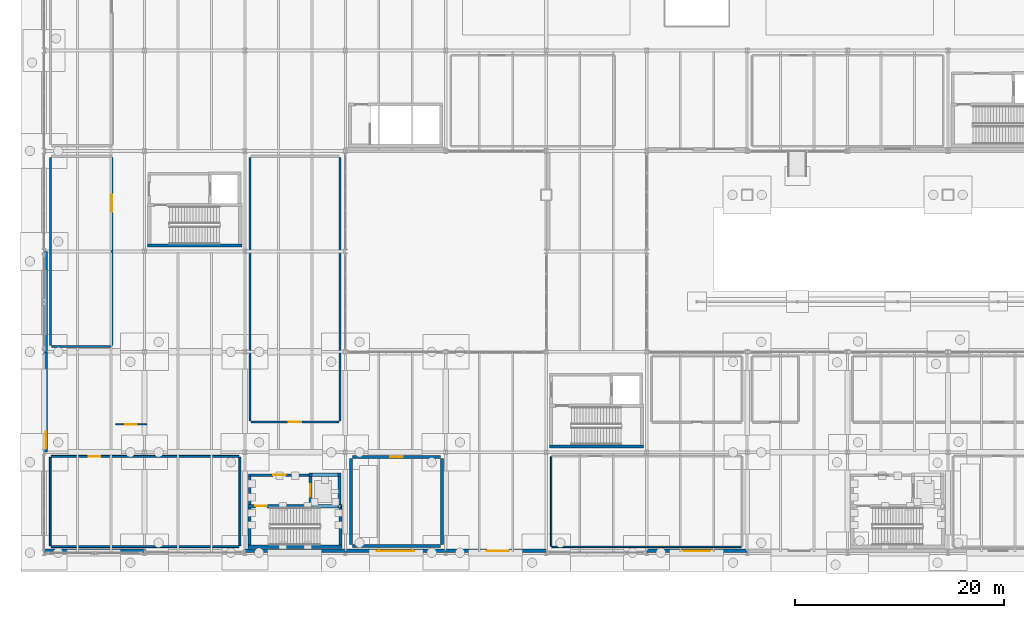
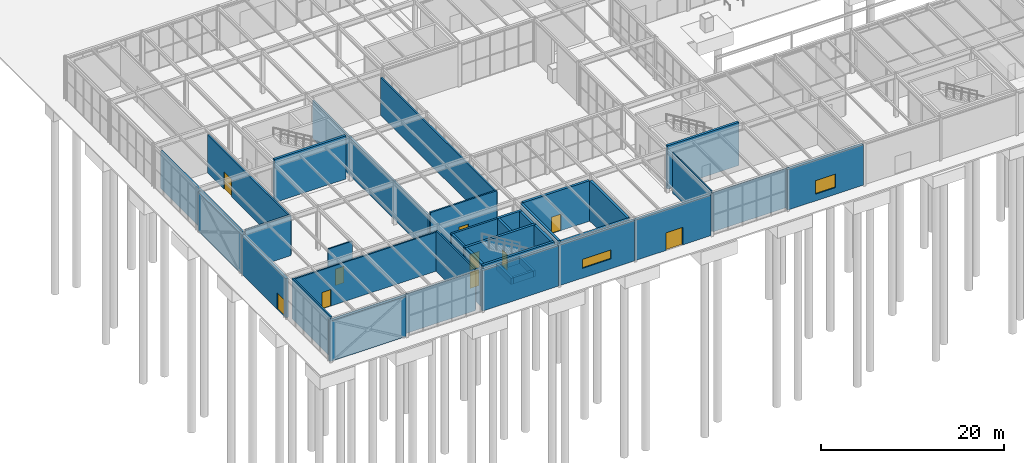
# One storey, part 116 of 142: 39 walls, 10 doors, 2 windows, 12 openings.
"""IFC4 building model written with IfcOpenShell, lengths in metres."""

from ifc_helpers import new_model, si_unit, direction, frame, frame_2d, origin, place, context, subcontext, project, spatial, rectangle, extrude, material, layer, layer_set, type_object, element, fill, save


model = new_model("IFC4")

# Units and contexts
model_context = context("Model", 3, precision=1e-05, world=origin(), true_north=direction((0.0, 1.0)))
body_context = subcontext(model_context, "Body", "Model", "MODEL_VIEW")
ifc_project = project(units=[si_unit("LENGTHUNIT", "METRE"), si_unit("AREAUNIT", "SQUARE_METRE"), si_unit("VOLUMEUNIT", "CUBIC_METRE"), si_unit("PLANEANGLEUNIT", "RADIAN"), si_unit("MASSUNIT", "GRAM", prefix="KILO")], contexts=[model_context])

# Site, building, storey
site_placement = place(None, origin())
site = spatial("IfcSite", under=ifc_project, at=site_placement, CompositionType="ELEMENT")
building_placement = place(site_placement, origin())
building = spatial("IfcBuilding", under=site, at=building_placement, Name="Coralgate Yard Interchange", CompositionType="ELEMENT")
storey_placement = place(building_placement, origin())
storey = spatial("IfcBuildingStorey", under=building, at=storey_placement, Name="L00", CompositionType="ELEMENT", Elevation=0.0)

# Walls
ifc_material_1 = material(Name="Concrete C40/50", Category="concrete")
ifc_layer_1 = layer(ifc_material_1, 0.300048828125)
ifc_layer_set_1 = layer_set([ifc_layer_1], Name="Concrete C40/50")
wall_type_1 = type_object("IfcWallType", Name="WAL-CW300", PredefinedType="SHEAR", material=ifc_layer_set_1)
for number, where, z_axis, x_axis, name in (
    (1, (9.89990234375, 29.3701171875, 0.0), (0.0, 0.0, 1.0), (1.0, 0.0, 0.0), "C1 L00 stair south shear wall"),
    (2, (48.300048828125, 10.169921875, 0.0), (0.0, 0.0, 1.0), (1.0, 0.0, 0.0), "C2 L00 stair south shear wall"),
    (3, (19.5, 0.570068359375, 0.0), (0.0, 0.0, 1.0), (1.0, 0.0, 0.0), "C3 L00 stair south shear wall"),
):
    element("IfcWall", number, at=place(storey_placement, frame(where, z_axis=z_axis, x_axis=x_axis)), inside=storey, type_object=wall_type_1, Name=name, PredefinedType="SHEAR", context=body_context, shape_type="SweptSolid", body=[
        extrude(rectangle(XDim=9.0, YDim=0.300048828125, at=frame_2d((4.5, 0.0))), origin(), (0.0, 0.0, 1.0), 5.75),
    ])

# Wall, opening, door
wall_1_placement = place(storey_placement, frame((28.5, 4.449951171875, 0.0), z_axis=(0.0, 0.0, 1.0), x_axis=(-1.0, 0.0, 0.0)))
wall_1 = element("IfcWall", 4, at=wall_1_placement, inside=storey, type_object=wall_type_1, Name="C3 L00 stair north shear wall", PredefinedType="SHEAR", context=body_context, shape_type="SweptSolid", body=[
    extrude(rectangle(XDim=9.0, YDim=0.300048828125, at=frame_2d((4.5, 0.0))), origin(), (0.0, 0.0, 1.0), 5.75),
])
opening_1_placement = place(wall_1_placement, frame((7.199951171875, 0.0, 0.0)))
opening_1 = element("IfcOpeningElement", 5, at=opening_1_placement, cuts=wall_1, Name="Opening FD-1", PredefinedType="OPENING", context=body_context, shape_type="SweptSolid", body=[
    extrude(rectangle(XDim=1.10009765625, YDim=2.14990234375, at=frame_2d((0.550048828125, 1.074951171875))), frame((0.0, 0.159912109375, 0.0), z_axis=(0.0, -1.0, 0.0), x_axis=(1.0, 0.0, 0.0)), (0.0, 0.0, 1.0), 0.320068359375),
])
ifc_material_2 = material(Name="Powder-coated steel fire door assembly", Category="steel")
door_type_1 = type_object("IfcDoorType", Name="DOR-FD-1", OperationType="NOTDEFINED", PredefinedType="DOOR", material=ifc_material_2)
door_1_placement = place(opening_1_placement, origin())
door_1 = element("IfcDoor", 6, at=door_1_placement, inside=storey, type_object=door_type_1, Name="C3 L00 stair fire door", OperationType="SINGLE_SWING_LEFT", OverallHeight=2.14990234375, OverallWidth=1.10009765625, PredefinedType="DOOR", context=body_context, shape_type="SweptSolid", body=[
    extrude(rectangle(XDim=1.10009765625, YDim=2.14990234375, at=frame_2d((0.550048828125, 1.074951171875))), frame((0.0, 0.02490234375, 0.0), z_axis=(0.0, -1.0, 0.0), x_axis=(1.0, 0.0, 0.0)), (0.0, 0.0, 1.0), 0.050048828125),
])
fill(opening_1, door_1)

# Walls
for number, where, z_axis, x_axis, name in (
    (7, (19.64990234375, 0.719970703125, 0.0), (0.0, 0.0, 1.0), (0.0, 1.0, 0.0), "C3 L00 stair west shear wall"),
    (8, (28.35009765625, 4.300048828125, 0.0), (0.0, 0.0, 1.0), (0.0, -1.0, 0.0), "C3 L00 stair east shear wall"),
):
    element("IfcWall", number, at=place(storey_placement, frame(where, z_axis=z_axis, x_axis=x_axis)), inside=storey, type_object=wall_type_1, Name=name, PredefinedType="SHEAR", context=body_context, shape_type="SweptSolid", body=[
        extrude(rectangle(XDim=3.580078125, YDim=0.300048828125, at=frame_2d((1.7900390625, 0.0))), origin(), (0.0, 0.0, 1.0), 5.75),
    ])

# Wall, opening, door
wall_2_placement = place(storey_placement, frame((25.449951171875, 7.300048828125, 0.0), z_axis=(0.0, 0.0, 1.0), x_axis=(0.0, -1.0, 0.0)))
wall_2 = element("IfcWall", 9, at=wall_2_placement, inside=storey, type_object=wall_type_1, Name="C3 L00 lift front shear wall", PredefinedType="SHEAR", context=body_context, shape_type="SweptSolid", body=[
    extrude(rectangle(XDim=2.699951171875, YDim=0.300048828125, at=frame_2d((1.35009765625, 0.0))), origin(), (0.0, 0.0, 1.0), 5.75),
])
opening_2_placement = place(wall_2_placement, frame((0.77490234375, 0.0, 0.0)))
opening_2 = element("IfcOpeningElement", 10, at=opening_2_placement, cuts=wall_2, Name="Opening LD-2", PredefinedType="OPENING", context=body_context, shape_type="SweptSolid", body=[
    extrude(rectangle(XDim=1.14990234375, YDim=2.10009765625, at=frame_2d((0.574951171875, 1.050048828125))), frame((0.0, 0.159912109375, 0.0), z_axis=(0.0, -1.0, 0.0), x_axis=(1.0, 0.0, 0.0)), (0.0, 0.0, 1.0), 0.320068359375),
])
ifc_material_3 = material(Name="Brushed stainless steel passenger lift landing door", Category="steel")
door_type_2 = type_object("IfcDoorType", Name="DOR-LD-2", OperationType="DOUBLE_DOOR_SLIDING", PredefinedType="DOOR", material=ifc_material_3)
door_2_placement = place(opening_2_placement, frame((1.14990234375, 0.0, 0.0), z_axis=(0.0, 0.0, 1.0), x_axis=(-1.0, 0.0, 0.0)))
door_2 = element("IfcDoor", 11, at=door_2_placement, inside=storey, type_object=door_type_2, Name="LF-01 L00 sliding lift landing door", OperationType="DOUBLE_DOOR_SLIDING", OverallHeight=2.10009765625, OverallWidth=1.14990234375, PredefinedType="DOOR", context=body_context, shape_type="SweptSolid", body=[
    extrude(rectangle(XDim=1.14990234375, YDim=2.10009765625, at=frame_2d((0.574951171875, 1.050048828125))), frame((0.0, 0.02490234375, 0.0), z_axis=(0.0, -1.0, 0.0), x_axis=(1.0, 0.0, 0.0)), (0.0, 0.0, 1.0), 0.050048828125),
])
fill(opening_2, door_2)

# Walls
wall_3_placement = place(storey_placement, frame((28.25, 4.60009765625, 0.0), z_axis=(0.0, 0.0, 1.0), x_axis=(0.0, 1.0, 0.0)))
element("IfcWall", 12, at=wall_3_placement, inside=storey, type_object=wall_type_1, Name="C3 L00 lift rear shear wall", PredefinedType="SHEAR", context=body_context, shape_type="SweptSolid", body=[
    extrude(rectangle(XDim=2.699951171875, YDim=0.300048828125, at=frame_2d((1.35009765625, 0.0))), origin(), (0.0, 0.0, 1.0), 5.75),
])
wall_4_placement = place(storey_placement, frame((25.300048828125, 7.449951171875, 0.0), z_axis=(0.0, 0.0, 1.0), x_axis=(1.0, 0.0, 0.0)))
element("IfcWall", 13, at=wall_4_placement, inside=storey, type_object=wall_type_1, Name="C3 L00 lift north shear wall", PredefinedType="SHEAR", context=body_context, shape_type="SweptSolid", body=[
    extrude(rectangle(XDim=3.099853515625, YDim=0.300048828125, at=frame_2d((1.5498046875, 0.0))), origin(), (0.0, 0.0, 1.0), 5.75),
])
for number, where, z_axis, x_axis, name in (
    (14, (25.449951171875, 4.300048828125, -1.199951171875), (0.0, 0.0, 1.0), (0.0, 1.0, 0.0), "LF-01 lift pit wall W"),
    (15, (28.25, 4.300048828125, -1.199951171875), (0.0, 0.0, 1.0), (0.0, 1.0, 0.0), "LF-01 lift pit wall E"),
):
    element("IfcWall", number, at=place(storey_placement, frame(where, z_axis=z_axis, x_axis=x_axis)), inside=storey, type_object=wall_type_1, Name=name, PredefinedType="SHEAR", context=body_context, shape_type="SweptSolid", body=[
        extrude(rectangle(XDim=3.300048828125, YDim=0.300048828125, at=frame_2d((1.64990234375, 0.0))), origin(), (0.0, 0.0, 1.0), 0.820068359375),
    ])
for number, where, z_axis, x_axis, name in (
    (16, (25.60009765625, 4.449951171875, -1.199951171875), (0.0, 0.0, 1.0), (1.0, 0.0, 0.0), "LF-01 lift pit wall S"),
    (17, (25.60009765625, 7.449951171875, -1.199951171875), (0.0, 0.0, 1.0), (1.0, 0.0, 0.0), "LF-01 lift pit wall N"),
):
    element("IfcWall", number, at=place(storey_placement, frame(where, z_axis=z_axis, x_axis=x_axis)), inside=storey, type_object=wall_type_1, Name=name, PredefinedType="SHEAR", context=body_context, shape_type="SweptSolid", body=[
        extrude(rectangle(XDim=2.5, YDim=0.300048828125, at=frame_2d((1.25, 0.0))), origin(), (0.0, 0.0, 1.0), 0.820068359375),
    ])
wall_5_placement = place(storey_placement, frame((37.89990234375, 0.64990234375, 0.0), z_axis=(0.0, 0.0, 1.0), x_axis=(-1.0, 0.0, 0.0)))
element("IfcWall", 18, at=wall_5_placement, inside=storey, type_object=wall_type_1, Name="Fire Command Room partition S", PredefinedType="SHEAR", context=body_context, shape_type="SweptSolid", body=[
    extrude(rectangle(XDim=8.39990234375, YDim=0.300048828125, at=frame_2d((4.199951171875, 0.0))), origin(), (0.0, 0.0, 1.0), 5.389892578125),
])

# Wall, opening, door
wall_6_placement = place(storey_placement, frame((29.5, 9.14990234375, 0.0), z_axis=(0.0, 0.0, 1.0), x_axis=(1.0, 0.0, 0.0)))
wall_6 = element("IfcWall", 19, at=wall_6_placement, inside=storey, type_object=wall_type_1, Name="Fire Command Room partition N", PredefinedType="SHEAR", context=body_context, shape_type="SweptSolid", body=[
    extrude(rectangle(XDim=8.39990234375, YDim=0.300048828125, at=frame_2d((4.199951171875, 0.0))), origin(), (0.0, 0.0, 1.0), 5.389892578125),
])
opening_3_placement = place(wall_6_placement, frame((3.60009765625, 0.0, 0.0)))
opening_3 = element("IfcOpeningElement", 20, at=opening_3_placement, cuts=wall_6, Name="Opening ID-05", PredefinedType="OPENING", context=body_context, shape_type="SweptSolid", body=[
    extrude(rectangle(XDim=1.199951171875, YDim=2.199951171875, at=frame_2d((0.60009765625, 1.10009765625))), frame((0.0, 0.159912109375, 0.0), z_axis=(0.0, -1.0, 0.0), x_axis=(1.0, 0.0, 0.0)), (0.0, 0.0, 1.0), 0.320068359375),
])
ifc_material_4 = material(Name="Powder-coated steel plant and store fire door", Category="steel")
door_type_3 = type_object("IfcDoorType", Name="DOR-ID-05", OperationType="NOTDEFINED", PredefinedType="DOOR", material=ifc_material_4)
door_3_placement = place(opening_3_placement, frame((1.199951171875, 0.0, 0.0), z_axis=(0.0, 0.0, 1.0), x_axis=(-1.0, 0.0, 0.0)))
door_3 = element("IfcDoor", 21, at=door_3_placement, inside=storey, type_object=door_type_3, Name="Fire Command Room door", OperationType="SINGLE_SWING_RIGHT", OverallHeight=2.199951171875, OverallWidth=1.199951171875, PredefinedType="DOOR", context=body_context, shape_type="SweptSolid", body=[
    extrude(rectangle(XDim=1.199951171875, YDim=2.199951171875, at=frame_2d((0.60009765625, 1.10009765625))), frame((0.0, 0.02490234375, 0.0), z_axis=(0.0, -1.0, 0.0), x_axis=(1.0, 0.0, 0.0)), (0.0, 0.0, 1.0), 0.050048828125),
])
fill(opening_3, door_3)

# Walls
for number, where, z_axis, x_axis, name in (
    (22, (29.35009765625, 0.800048828125, 0.0), (0.0, 0.0, 1.0), (0.0, 1.0, 0.0), "Fire Command Room partition W"),
    (23, (38.050048828125, 9.0, 0.0), (0.0, 0.0, 1.0), (0.0, -1.0, 0.0), "Fire Command Room partition E"),
):
    element("IfcWall", number, at=place(storey_placement, frame(where, z_axis=z_axis, x_axis=x_axis)), inside=storey, type_object=wall_type_1, Name=name, PredefinedType="SHEAR", context=body_context, shape_type="SweptSolid", body=[
        extrude(rectangle(XDim=8.199951171875, YDim=0.300048828125, at=frame_2d((4.10009765625, 0.0))), origin(), (0.0, 0.0, 1.0), 5.389892578125),
    ])
ifc_material_5 = material(Name="Precast concrete C40/50", Category="concrete")
ifc_layer_2 = layer(ifc_material_5, 0.35009765625)
ifc_layer_set_2 = layer_set([ifc_layer_2], Name="Precast concrete C40/50")
wall_type_2 = type_object("IfcWallType", Name="WAL-EW-350", PredefinedType="SOLIDWALL", material=ifc_layer_set_2)
wall_7_placement = place(storey_placement, frame((9.580078125, 0.175048828125, 0.0), z_axis=(0.0, 0.0, 1.0), x_axis=(-1.0, 0.0, 0.0)))
element("IfcWall", 24, at=wall_7_placement, inside=storey, type_object=wall_type_2, Name="L00 exterior coastal wall S 0-0", PredefinedType="SOLIDWALL", context=body_context, shape_type="SweptSolid", body=[
    extrude(rectangle(XDim=9.56005859375, YDim=0.35009765625, at=frame_2d((4.780029296875, 0.0))), origin(), (0.0, 0.0, 1.0), 5.39990234375),
])

# Wall, opening, door
wall_8_placement = place(storey_placement, frame((0.175048828125, 9.6201171875, 0.0), z_axis=(0.0, 0.0, 1.0), x_axis=(0.0, 1.0, 0.0)))
wall_8 = element("IfcWall", 25, at=wall_8_placement, inside=storey, type_object=wall_type_2, Name="L00 exterior coastal wall W 0-1", PredefinedType="SOLIDWALL", context=body_context, shape_type="SweptSolid", body=[
    extrude(rectangle(XDim=9.559814453125, YDim=0.35009765625, at=frame_2d((4.77978515625, 0.0))), origin(), (0.0, 0.0, 1.0), 5.216796875),
])
opening_4_placement = place(wall_8_placement, frame((0.35009765625, 0.0, 0.0)))
opening_4 = element("IfcOpeningElement", 26, at=opening_4_placement, cuts=wall_8, Name="Opening ED-4", PredefinedType="OPENING", context=body_context, shape_type="SweptSolid", body=[
    extrude(rectangle(XDim=1.60009765625, YDim=2.199951171875, at=frame_2d((0.800048828125, 1.10009765625))), frame((0.0, 0.18505859375, 0.0), z_axis=(0.0, -1.0, 0.0), x_axis=(1.0, 0.0, 0.0)), (0.0, 0.0, 1.0), 0.3701171875),
])
ifc_material_6 = material(Name="Powder-coated steel emergency exit double door", Category="steel")
door_type_4 = type_object("IfcDoorType", Name="DOR-ED-4", OperationType="NOTDEFINED", PredefinedType="DOOR", material=ifc_material_6)
door_4_placement = place(opening_4_placement, origin())
door_4 = element("IfcDoor", 27, at=door_4_placement, inside=storey, type_object=door_type_4, Name="L00 final exit double door ED-01", OperationType="DOUBLE_DOOR_SINGLE_SWING", OverallHeight=2.199951171875, OverallWidth=1.60009765625, PredefinedType="DOOR", context=body_context, shape_type="SweptSolid", body=[
    extrude(rectangle(XDim=1.60009765625, YDim=2.199951171875, at=frame_2d((0.800048828125, 1.10009765625))), frame((0.0, 0.02490234375, 0.0), z_axis=(0.0, -1.0, 0.0), x_axis=(1.0, 0.0, 0.0)), (0.0, 0.0, 1.0), 0.050048828125),
])
fill(opening_4, door_4)

# Walls
wall_9_placement = place(storey_placement, frame((0.175048828125, 19.219970703125, 0.0), z_axis=(0.0, 0.0, 1.0), x_axis=(0.0, 1.0, 0.0)))
element("IfcWall", 28, at=wall_9_placement, inside=storey, type_object=wall_type_2, Name="L00 exterior coastal wall W 0-2", PredefinedType="SOLIDWALL", context=body_context, shape_type="SweptSolid", body=[
    extrude(rectangle(XDim=9.56005859375, YDim=0.35009765625, at=frame_2d((4.780029296875, 0.0))), origin(), (0.0, 0.0, 1.0), 5.216796875),
])
wall_10_placement = place(storey_placement, frame((28.780029296875, 0.175048828125, 0.0), z_axis=(0.0, 0.0, 1.0), x_axis=(-1.0, 0.0, 0.0)))
element("IfcWall", 29, at=wall_10_placement, inside=storey, type_object=wall_type_2, Name="L00 exterior coastal wall S 2-0", PredefinedType="SOLIDWALL", context=body_context, shape_type="SweptSolid", body=[
    extrude(rectangle(XDim=9.56005859375, YDim=0.35009765625, at=frame_2d((4.780029296875, 0.0))), origin(), (0.0, 0.0, 1.0), 5.39990234375),
])

# Wall, opening, window
wall_11_placement = place(storey_placement, frame((38.3798828125, 0.175048828125, 0.0), z_axis=(0.0, 0.0, 1.0), x_axis=(-1.0, 0.0, 0.0)))
wall_11 = element("IfcWall", 30, at=wall_11_placement, inside=storey, type_object=wall_type_2, Name="L00 exterior coastal wall S 3-0", PredefinedType="SOLIDWALL", context=body_context, shape_type="SweptSolid", body=[
    extrude(rectangle(XDim=9.559814453125, YDim=0.35009765625, at=frame_2d((4.77978515625, 0.0))), origin(), (0.0, 0.0, 1.0), 5.39990234375),
])
opening_5_placement = place(wall_11_placement, frame((2.97998046875, 0.0, 1.300048828125)))
opening_5 = element("IfcOpeningElement", 31, at=opening_5_placement, cuts=wall_11, Name="Opening W-10", PredefinedType="OPENING", context=body_context, shape_type="SweptSolid", body=[
    extrude(rectangle(XDim=3.60009765625, YDim=1.199951171875, at=frame_2d((1.800048828125, 0.60009765625))), frame((0.0, 0.18505859375, 0.0), z_axis=(0.0, -1.0, 0.0), x_axis=(1.0, 0.0, 0.0)), (0.0, 0.0, 1.0), 0.3701171875),
])
ifc_material_7 = material(Name="Thermally broken anodised aluminium and solar-control low-E glass", Category="aluminium")
window_type_1 = type_object("IfcWindowType", Name="WIN-W-10", PartitioningType="SINGLE_PANEL", PredefinedType="WINDOW", material=ifc_material_7)
window_1_placement = place(opening_5_placement, origin())
window_1 = element("IfcWindow", 32, at=window_1_placement, inside=storey, type_object=window_type_1, Name="L00 coastal facade window S-3-0", OverallHeight=1.199951171875, OverallWidth=3.60009765625, PartitioningType="SINGLE_PANEL", PredefinedType="WINDOW", context=body_context, shape_type="SweptSolid", body=[
    extrude(rectangle(XDim=3.60009765625, YDim=1.199951171875, at=frame_2d((1.800048828125, 0.60009765625))), frame((0.0, 0.030029296875, 0.0), z_axis=(0.0, -1.0, 0.0), x_axis=(1.0, 0.0, 0.0)), (0.0, 0.0, 1.0), 0.06005859375),
])
fill(opening_5, window_1)

# Wall, opening, door
wall_12_placement = place(storey_placement, frame((47.97998046875, 0.175048828125, 0.0), z_axis=(0.0, 0.0, 1.0), x_axis=(-1.0, 0.0, 0.0)))
wall_12 = element("IfcWall", 33, at=wall_12_placement, inside=storey, type_object=wall_type_2, Name="L00 exterior coastal wall S 4-0", PredefinedType="SOLIDWALL", context=body_context, shape_type="SweptSolid", body=[
    extrude(rectangle(XDim=9.56005859375, YDim=0.35009765625, at=frame_2d((4.780029296875, 0.0))), origin(), (0.0, 0.0, 1.0), 5.39990234375),
])
opening_6_placement = place(wall_12_placement, frame((3.550048828125, 0.0, 0.0)))
opening_6 = element("IfcOpeningElement", 34, at=opening_6_placement, cuts=wall_12, Name="Opening ED-8", PredefinedType="OPENING", context=body_context, shape_type="SweptSolid", body=[
    extrude(rectangle(XDim=2.10009765625, YDim=2.35009765625, at=frame_2d((1.050048828125, 1.175048828125))), frame((0.0, 0.18505859375, 0.0), z_axis=(0.0, -1.0, 0.0), x_axis=(1.0, 0.0, 0.0)), (0.0, 0.0, 1.0), 0.3701171875),
])
ifc_material_8 = material(Name="Anodised aluminium intermodal foyer double door", Category="aluminium")
door_type_5 = type_object("IfcDoorType", Name="DOR-ED-8", OperationType="NOTDEFINED", PredefinedType="DOOR", material=ifc_material_8)
door_5_placement = place(opening_6_placement, origin())
door_5 = element("IfcDoor", 35, at=door_5_placement, inside=storey, type_object=door_type_5, Name="L00 final exit double door ED-02", OperationType="DOUBLE_DOOR_SINGLE_SWING", OverallHeight=2.35009765625, OverallWidth=2.10009765625, PredefinedType="DOOR", context=body_context, shape_type="SweptSolid", body=[
    extrude(rectangle(XDim=2.10009765625, YDim=2.35009765625, at=frame_2d((1.050048828125, 1.175048828125))), frame((0.0, 0.02490234375, 0.0), z_axis=(0.0, -1.0, 0.0), x_axis=(1.0, 0.0, 0.0)), (0.0, 0.0, 1.0), 0.050048828125),
])
fill(opening_6, door_5)

# Wall, opening, window
wall_13_placement = place(storey_placement, frame((67.179931640625, 0.175048828125, 0.0), z_axis=(0.0, 0.0, 1.0), x_axis=(-1.0, 0.0, 0.0)))
wall_13 = element("IfcWall", 36, at=wall_13_placement, inside=storey, type_object=wall_type_2, Name="L00 exterior coastal wall S 6-0", PredefinedType="SOLIDWALL", context=body_context, shape_type="SweptSolid", body=[
    extrude(rectangle(XDim=9.559814453125, YDim=0.35009765625, at=frame_2d((4.77978515625, 0.0))), origin(), (0.0, 0.0, 1.0), 5.39990234375),
])
opening_7_placement = place(wall_13_placement, frame((3.5048828125, 0.0, 0.89990234375)))
opening_7 = element("IfcOpeningElement", 37, at=opening_7_placement, cuts=wall_13, Name="Opening W-19", PredefinedType="OPENING", context=body_context, shape_type="SweptSolid", body=[
    extrude(rectangle(XDim=2.550048828125, YDim=1.800048828125, at=frame_2d((1.27490234375, 0.89990234375))), frame((0.0, 0.18505859375, 0.0), z_axis=(0.0, -1.0, 0.0), x_axis=(1.0, 0.0, 0.0)), (0.0, 0.0, 1.0), 0.3701171875),
])
window_type_2 = type_object("IfcWindowType", Name="WIN-W-19", PartitioningType="SINGLE_PANEL", PredefinedType="WINDOW", material=ifc_material_7)
window_2_placement = place(opening_7_placement, origin())
window_2 = element("IfcWindow", 38, at=window_2_placement, inside=storey, type_object=window_type_2, Name="L00 coastal facade window S-6-0", OverallHeight=1.800048828125, OverallWidth=2.550048828125, PartitioningType="SINGLE_PANEL", PredefinedType="WINDOW", context=body_context, shape_type="SweptSolid", body=[
    extrude(rectangle(XDim=2.550048828125, YDim=1.800048828125, at=frame_2d((1.27490234375, 0.89990234375))), frame((0.0, 0.030029296875, 0.0), z_axis=(0.0, -1.0, 0.0), x_axis=(1.0, 0.0, 0.0)), (0.0, 0.0, 1.0), 0.06005859375),
])
fill(opening_7, window_2)

# Walls
ifc_material_9 = material(Name="Acoustic twin-stud office partition")
ifc_layer_3 = layer(ifc_material_9, 0.139892578125)
ifc_layer_set_3 = layer_set([ifc_layer_3], Name="Acoustic twin-stud office partition")
wall_type_3 = type_object("IfcWallType", Name="WAL-PW-140", PredefinedType="PARTITIONING", material=ifc_layer_set_3)
wall_14_placement = place(storey_placement, frame((66.659912109375, 0.570068359375, 0.0), z_axis=(0.0, 0.0, 1.0), x_axis=(-1.0, 0.0, 0.0)))
element("IfcWall", 39, at=wall_14_placement, inside=storey, type_object=wall_type_3, Name="Surface Bus Network Dispatch Room partition S", PredefinedType="PARTITIONING", context=body_context, shape_type="SweptSolid", body=[
    extrude(rectangle(XDim=18.119873046875, YDim=0.139892578125, at=frame_2d((9.06005859375, 0.0))), origin(), (0.0, 0.0, 1.0), 5.206787109375),
])
wall_15_placement = place(storey_placement, frame((48.469970703125, 0.639892578125, 0.0), z_axis=(0.0, 0.0, 1.0), x_axis=(0.0, 1.0, 0.0)))
element("IfcWall", 40, at=wall_15_placement, inside=storey, type_object=wall_type_3, Name="Surface Bus Network Dispatch Room partition W", PredefinedType="PARTITIONING", context=body_context, shape_type="SweptSolid", body=[
    extrude(rectangle(XDim=8.52001953125, YDim=0.139892578125, at=frame_2d((4.260009765625, 0.0))), origin(), (0.0, 0.0, 1.0), 5.389892578125),
])

# Wall, opening, door
ifc_material_10 = material(Name="Fire-rated twin-stud gypsum partition")
ifc_layer_4 = layer(ifc_material_10, 0.159912109375)
ifc_layer_set_4 = layer_set([ifc_layer_4], Name="Fire-rated twin-stud gypsum partition")
wall_type_4 = type_object("IfcWallType", Name="WAL-PW-160", PredefinedType="PARTITIONING", material=ifc_layer_set_4)
wall_16_placement = place(storey_placement, frame((6.820068359375, 12.280029296875, 0.0), z_axis=(0.0, 0.0, 1.0), x_axis=(1.0, 0.0, 0.0)))
wall_16 = element("IfcWall", 41, at=wall_16_placement, inside=storey, type_object=wall_type_4, Name="L00 west protected exit passageway cross-corridor fire wall", PredefinedType="PARTITIONING", context=body_context, shape_type="SweptSolid", body=[
    extrude(rectangle(XDim=3.0400390625, YDim=0.159912109375, at=frame_2d((1.52001953125, 0.0))), origin(), (0.0, 0.0, 1.0), 5.206787109375),
])
opening_8_placement = place(wall_16_placement, frame((0.949951171875, 0.0, 0.0)))
opening_8 = element("IfcOpeningElement", 42, at=opening_8_placement, cuts=wall_16, Name="Opening ID-04", PredefinedType="OPENING", context=body_context, shape_type="SweptSolid", body=[
    extrude(rectangle(XDim=1.10009765625, YDim=2.199951171875, at=frame_2d((0.550048828125, 1.10009765625))), frame((0.0, 0.08984375, 0.0), z_axis=(0.0, -1.0, 0.0), x_axis=(1.0, 0.0, 0.0)), (0.0, 0.0, 1.0), 0.179931640625),
])
ifc_material_11 = material(Name="Fire-resisting acoustic timber corridor door", Category="wood")
door_type_6 = type_object("IfcDoorType", Name="DOR-ID-04", OperationType="NOTDEFINED", PredefinedType="DOOR", material=ifc_material_11)
door_6_placement = place(opening_8_placement, frame((1.10009765625, 0.0, 0.0), z_axis=(0.0, 0.0, 1.0), x_axis=(-1.0, 0.0, 0.0)))
door_6 = element("IfcDoor", 43, at=door_6_placement, inside=storey, type_object=door_type_6, Name="L00 west protected exit passageway fire door", OperationType="SINGLE_SWING_RIGHT", OverallHeight=2.199951171875, OverallWidth=1.10009765625, PredefinedType="DOOR", context=body_context, shape_type="SweptSolid", body=[
    extrude(rectangle(XDim=1.10009765625, YDim=2.199951171875, at=frame_2d((0.550048828125, 1.10009765625))), frame((0.0, 0.02490234375, 0.0), z_axis=(0.0, -1.0, 0.0), x_axis=(1.0, 0.0, 0.0)), (0.0, 0.0, 1.0), 0.050048828125),
])
fill(opening_8, door_6)

# Wall
ifc_material_12 = material(Name="Acoustic concrete blockwork", Category="masonry")
ifc_layer_5 = layer(ifc_material_12, 0.179931640625)
ifc_layer_set_5 = layer_set([ifc_layer_5], Name="Acoustic concrete blockwork")
wall_type_5 = type_object("IfcWallType", Name="WAL-PW-180", PredefinedType="PARTITIONING", material=ifc_layer_set_5)
wall_17_placement = place(storey_placement, frame((18.6201171875, 0.590087890625, 0.0), z_axis=(0.0, 0.0, 1.0), x_axis=(-1.0, 0.0, 0.0)))
element("IfcWall", 44, at=wall_17_placement, inside=storey, type_object=wall_type_5, Name="Station Security and CCTV Suite partition S", PredefinedType="PARTITIONING", context=body_context, shape_type="SweptSolid", body=[
    extrude(rectangle(XDim=17.940185546875, YDim=0.179931640625, at=frame_2d((8.97021484375, 0.0))), origin(), (0.0, 0.0, 1.0), 5.206787109375),
])

# Wall, opening, door
wall_18_placement = place(storey_placement, frame((0.679931640625, 9.2099609375, 0.0), z_axis=(0.0, 0.0, 1.0), x_axis=(1.0, 0.0, 0.0)))
wall_18 = element("IfcWall", 45, at=wall_18_placement, inside=storey, type_object=wall_type_5, Name="Station Security and CCTV Suite partition N", PredefinedType="PARTITIONING", context=body_context, shape_type="SweptSolid", body=[
    extrude(rectangle(XDim=17.940185546875, YDim=0.179931640625, at=frame_2d((8.97021484375, 0.0))), origin(), (0.0, 0.0, 1.0), 5.206787109375),
])
opening_9_placement = place(wall_18_placement, frame((3.60009765625, 0.0, 0.0)))
opening_9 = element("IfcOpeningElement", 46, at=opening_9_placement, cuts=wall_18, Name="Opening ID-04", PredefinedType="OPENING", context=body_context, shape_type="SweptSolid", body=[
    extrude(rectangle(XDim=1.10009765625, YDim=2.199951171875, at=frame_2d((0.550048828125, 1.10009765625))), frame((0.0, 0.099853515625, 0.0), z_axis=(0.0, -1.0, 0.0), x_axis=(1.0, 0.0, 0.0)), (0.0, 0.0, 1.0), 0.199951171875),
])
door_7_placement = place(opening_9_placement, origin())
door_7 = element("IfcDoor", 47, at=door_7_placement, inside=storey, type_object=door_type_6, Name="Station Security and CCTV Suite door", OperationType="SINGLE_SWING_LEFT", OverallHeight=2.199951171875, OverallWidth=1.10009765625, PredefinedType="DOOR", context=body_context, shape_type="SweptSolid", body=[
    extrude(rectangle(XDim=1.10009765625, YDim=2.199951171875, at=frame_2d((0.550048828125, 1.10009765625))), frame((0.0, 0.02490234375, 0.0), z_axis=(0.0, -1.0, 0.0), x_axis=(1.0, 0.0, 0.0)), (0.0, 0.0, 1.0), 0.050048828125),
])
fill(opening_9, door_7)

# Walls
for number, where, z_axis, x_axis, name in (
    (48, (0.590087890625, 0.679931640625, 0.0), (0.0, 0.0, 1.0), (0.0, 1.0, 0.0), "Station Security and CCTV Suite partition W"),
    (49, (18.7099609375, 9.1201171875, 0.0), (0.0, 0.0, 1.0), (0.0, -1.0, 0.0), "Station Security and CCTV Suite partition E"),
):
    element("IfcWall", number, at=place(storey_placement, frame(where, z_axis=z_axis, x_axis=x_axis)), inside=storey, type_object=wall_type_5, Name=name, PredefinedType="PARTITIONING", context=body_context, shape_type="SweptSolid", body=[
        extrude(rectangle(XDim=8.440185546875, YDim=0.179931640625, at=frame_2d((4.22021484375, 0.0))), origin(), (0.0, 0.0, 1.0), 5.389892578125),
    ])
ifc_material_13 = material(Name="Concrete blockwork masonry", Category="masonry")
ifc_layer_6 = layer(ifc_material_13, 0.199951171875)
ifc_layer_set_6 = layer_set([ifc_layer_6], Name="Concrete blockwork masonry")
wall_type_6 = type_object("IfcWallType", Name="WAL-PW-200", PredefinedType="PARTITIONING", material=ifc_layer_set_6)
wall_19_placement = place(storey_placement, frame((6.39990234375, 19.699951171875, 0.0), z_axis=(0.0, 0.0, 1.0), x_axis=(-1.0, 0.0, 0.0)))
element("IfcWall", 50, at=wall_19_placement, inside=storey, type_object=wall_type_6, Name="Main Low-Voltage Switchgear Plant partition S", PredefinedType="PARTITIONING", context=body_context, shape_type="SweptSolid", body=[
    extrude(rectangle(XDim=5.699951171875, YDim=0.199951171875, at=frame_2d((2.85009765625, 0.0))), origin(), (0.0, 0.0, 1.0), 5.389892578125),
])
wall_20_placement = place(storey_placement, frame((0.60009765625, 19.800048828125, 0.0), z_axis=(0.0, 0.0, 1.0), x_axis=(0.0, 1.0, 0.0)))
element("IfcWall", 51, at=wall_20_placement, inside=storey, type_object=wall_type_6, Name="Main Low-Voltage Switchgear Plant partition W", PredefinedType="PARTITIONING", context=body_context, shape_type="SweptSolid", body=[
    extrude(rectangle(XDim=18.0, YDim=0.199951171875, at=frame_2d((9.0, 0.0))), origin(), (0.0, 0.0, 1.0), 5.056396484375),
])

# Wall, opening, door
wall_21_placement = place(storey_placement, frame((6.5, 37.800048828125, 0.0), z_axis=(0.0, 0.0, 1.0), x_axis=(0.0, -1.0, 0.0)))
wall_21 = element("IfcWall", 52, at=wall_21_placement, inside=storey, type_object=wall_type_6, Name="Main Low-Voltage Switchgear Plant partition E", PredefinedType="PARTITIONING", context=body_context, shape_type="SweptSolid", body=[
    extrude(rectangle(XDim=18.0, YDim=0.199951171875, at=frame_2d((9.0, 0.0))), origin(), (0.0, 0.0, 1.0), 5.056396484375),
])
opening_10_placement = place(wall_21_placement, frame((3.60009765625, 0.0, 0.0)))
opening_10 = element("IfcOpeningElement", 53, at=opening_10_placement, cuts=wall_21, Name="Opening ID-07", PredefinedType="OPENING", context=body_context, shape_type="SweptSolid", body=[
    extrude(rectangle(XDim=1.60009765625, YDim=2.300048828125, at=frame_2d((0.800048828125, 1.14990234375))), frame((0.0, 0.10986328125, 0.0), z_axis=(0.0, -1.0, 0.0), x_axis=(1.0, 0.0, 0.0)), (0.0, 0.0, 1.0), 0.219970703125),
])
ifc_material_14 = material(Name="Powder-coated steel substation and plant double fire door", Category="steel")
door_type_7 = type_object("IfcDoorType", Name="DOR-ID-07", OperationType="NOTDEFINED", PredefinedType="DOOR", material=ifc_material_14)
door_8_placement = place(opening_10_placement, frame((1.60009765625, 0.0, 0.0), z_axis=(0.0, 0.0, 1.0), x_axis=(-1.0, 0.0, 0.0)))
door_8 = element("IfcDoor", 54, at=door_8_placement, inside=storey, type_object=door_type_7, Name="Main Low-Voltage Switchgear Plant door", OperationType="DOUBLE_DOOR_SINGLE_SWING", OverallHeight=2.300048828125, OverallWidth=1.60009765625, PredefinedType="DOOR", context=body_context, shape_type="SweptSolid", body=[
    extrude(rectangle(XDim=1.60009765625, YDim=2.300048828125, at=frame_2d((0.800048828125, 1.14990234375))), frame((0.0, 0.02490234375, 0.0), z_axis=(0.0, -1.0, 0.0), x_axis=(1.0, 0.0, 0.0)), (0.0, 0.0, 1.0), 0.050048828125),
])
fill(opening_10, door_8)

wall_22_placement = place(storey_placement, frame((28.199951171875, 12.5, 0.0), z_axis=(0.0, 0.0, 1.0), x_axis=(-1.0, 0.0, 0.0)))
wall_22 = element("IfcWall", 55, at=wall_22_placement, inside=storey, type_object=wall_type_6, Name="Refuse Compactor and Recycling Store partition S", PredefinedType="PARTITIONING", context=body_context, shape_type="SweptSolid", body=[
    extrude(rectangle(XDim=8.39990234375, YDim=0.199951171875, at=frame_2d((4.199951171875, 0.0))), origin(), (0.0, 0.0, 1.0), 5.389892578125),
])
opening_11_placement = place(wall_22_placement, frame((3.60009765625, 0.0, 0.0)))
opening_11 = element("IfcOpeningElement", 56, at=opening_11_placement, cuts=wall_22, Name="Opening ID-05", PredefinedType="OPENING", context=body_context, shape_type="SweptSolid", body=[
    extrude(rectangle(XDim=1.199951171875, YDim=2.199951171875, at=frame_2d((0.60009765625, 1.10009765625))), frame((0.0, 0.10986328125, 0.0), z_axis=(0.0, -1.0, 0.0), x_axis=(1.0, 0.0, 0.0)), (0.0, 0.0, 1.0), 0.219970703125),
])
door_9_placement = place(opening_11_placement, origin())
door_9 = element("IfcDoor", 57, at=door_9_placement, inside=storey, type_object=door_type_3, Name="Refuse Compactor and Recycling Store door", OperationType="SINGLE_SWING_RIGHT", OverallHeight=2.199951171875, OverallWidth=1.199951171875, PredefinedType="DOOR", context=body_context, shape_type="SweptSolid", body=[
    extrude(rectangle(XDim=1.199951171875, YDim=2.199951171875, at=frame_2d((0.60009765625, 1.10009765625))), frame((0.0, 0.02490234375, 0.0), z_axis=(0.0, -1.0, 0.0), x_axis=(1.0, 0.0, 0.0)), (0.0, 0.0, 1.0), 0.050048828125),
])
fill(opening_11, door_9)

# Walls
for number, where, z_axis, x_axis, name in (
    (58, (19.699951171875, 12.60009765625, 0.0), (0.0, 0.0, 1.0), (0.0, 1.0, 0.0), "Refuse Compactor and Recycling Store partition W"),
    (59, (28.300048828125, 37.800048828125, 0.0), (0.0, 0.0, 1.0), (0.0, -1.0, 0.0), "Refuse Compactor and Recycling Store partition E"),
):
    element("IfcWall", number, at=place(storey_placement, frame(where, z_axis=z_axis, x_axis=x_axis)), inside=storey, type_object=wall_type_6, Name=name, PredefinedType="PARTITIONING", context=body_context, shape_type="SweptSolid", body=[
        extrude(rectangle(XDim=25.199951171875, YDim=0.199951171875, at=frame_2d((12.60009765625, 0.0))), origin(), (0.0, 0.0, 1.0), 5.056396484375),
    ])

# Wall, opening, door
ifc_layer_7 = layer(ifc_material_1, 0.25)
ifc_layer_set_7 = layer_set([ifc_layer_7], Name="Concrete C40/50")
wall_type_7 = type_object("IfcWallType", Name="WAL-SW250", PredefinedType="SHEAR", material=ifc_layer_set_7)
wall_23_placement = place(storey_placement, frame((25.300048828125, 7.425048828125, 0.0), z_axis=(0.0, 0.0, 1.0), x_axis=(-1.0, 0.0, 0.0)))
wall_23 = element("IfcWall", 60, at=wall_23_placement, inside=storey, type_object=wall_type_7, Name="C3 L00 lobby north fire wall", PredefinedType="SHEAR", context=body_context, shape_type="SweptSolid", body=[
    extrude(rectangle(XDim=5.775146484375, YDim=0.25, at=frame_2d((2.8876953125, 0.0))), origin(), (0.0, 0.0, 1.0), 5.75),
])
opening_12_placement = place(wall_23_placement, frame((2.199951171875, 0.0, 0.0)))
opening_12 = element("IfcOpeningElement", 61, at=opening_12_placement, cuts=wall_23, Name="Opening FD-2", PredefinedType="OPENING", context=body_context, shape_type="SweptSolid", body=[
    extrude(rectangle(XDim=1.199951171875, YDim=2.14990234375, at=frame_2d((0.60009765625, 1.074951171875))), frame((0.0, 0.135009765625, 0.0), z_axis=(0.0, -1.0, 0.0), x_axis=(1.0, 0.0, 0.0)), (0.0, 0.0, 1.0), 0.27001953125),
])
door_type_8 = type_object("IfcDoorType", Name="DOR-FD-2", OperationType="NOTDEFINED", PredefinedType="DOOR", material=ifc_material_2)
door_10_placement = place(opening_12_placement, origin())
door_10 = element("IfcDoor", 62, at=door_10_placement, inside=storey, type_object=door_type_8, Name="C3 L00 lobby fire door", OperationType="SINGLE_SWING_RIGHT", OverallHeight=2.14990234375, OverallWidth=1.199951171875, PredefinedType="DOOR", context=body_context, shape_type="SweptSolid", body=[
    extrude(rectangle(XDim=1.199951171875, YDim=2.14990234375, at=frame_2d((0.60009765625, 1.074951171875))), frame((0.0, 0.02490234375, 0.0), z_axis=(0.0, -1.0, 0.0), x_axis=(1.0, 0.0, 0.0)), (0.0, 0.0, 1.0), 0.050048828125),
])
fill(opening_12, door_10)

# Wall
wall_24_placement = place(storey_placement, frame((19.64990234375, 4.60009765625, 0.0), z_axis=(0.0, 0.0, 1.0), x_axis=(0.0, 1.0, 0.0)))
element("IfcWall", 63, at=wall_24_placement, inside=storey, type_object=wall_type_7, Name="C3 L00 lobby west fire wall", PredefinedType="SHEAR", context=body_context, shape_type="SweptSolid", body=[
    extrude(rectangle(XDim=2.699951171875, YDim=0.25, at=frame_2d((1.35009765625, 0.0))), origin(), (0.0, 0.0, 1.0), 5.75),
])

save(model, "model.ifc")
